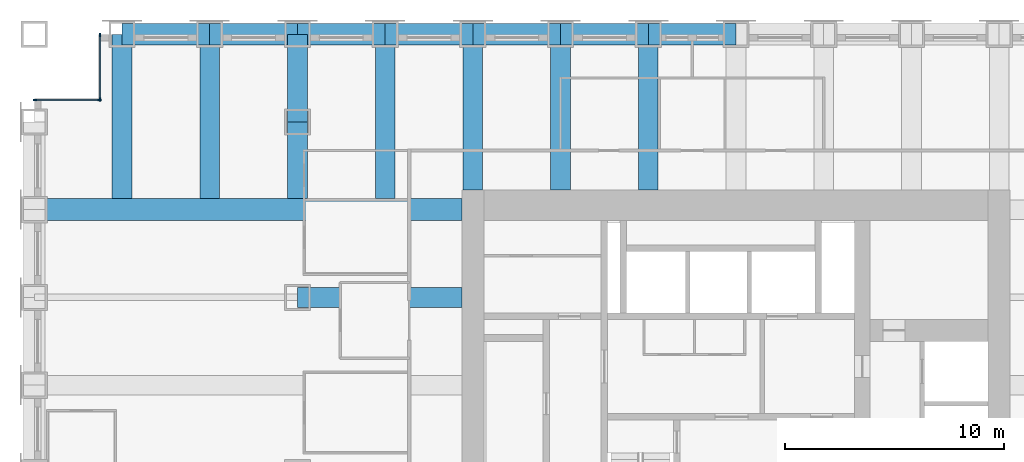
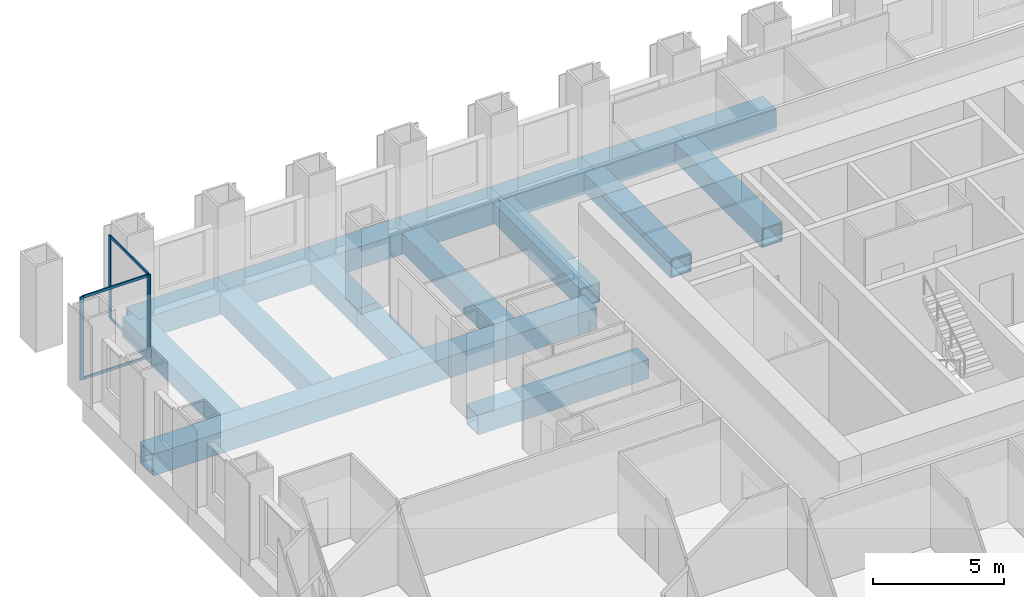
# One storey, part 6 of 15: 17 beams, 8 members, 2 elements without a shape of their own.
"""IFC4 building model written with IfcOpenShell, lengths in metres."""

import ifcopenshell
import ifcopenshell.guid

model = None  # the IFC model being written
_history = None  # IfcOwnerHistory: only IFC2X3 demands one
_inside = {}  # id of a spatial element -> (the spatial element, [elements in it])
_under = {}  # id of a project, library or spatial element -> (it, [spatial elements below it])
_declared = {}  # id of a project -> (the project, [libraries it declares])
_typed = {}  # id of a type object -> (the type object, [elements of that type])
_made_of = {}  # id of a material, layer set ... -> (it, [elements and type objects made of it])


def new_model(schema):
    """Start an empty IFC model of exactly this schema.

    Asked for "IFC4X3", IfcOpenShell would pick the latest addendum, in which some entities
    have other attributes; the version numbers below select the first issue.
    IFC2X3 requires an IfcOwnerHistory on every rooted entity: one is made here for all.
    """
    global model, _history
    if schema == "IFC4X3":
        model = ifcopenshell.file(schema_version=(4, 3, 0, 0))
    else:
        model = ifcopenshell.file(schema=schema)
    _inside.clear()
    _under.clear()
    _declared.clear()
    _typed.clear()
    _made_of.clear()
    _history = None
    if model.schema == "IFC2X3":
        org = make("IfcOrganization", Name="unknown")
        user = make(
            "IfcPersonAndOrganization",
            ThePerson=make("IfcPerson", FamilyName="unknown"),
            TheOrganization=org,
        )
        app = make(
            "IfcApplication",
            ApplicationDeveloper=org,
            Version="unknown",
            ApplicationFullName="unknown",
            ApplicationIdentifier="unknown",
        )
        _history = make(
            "IfcOwnerHistory",
            OwningUser=user,
            OwningApplication=app,
            ChangeAction="ADDED",
            CreationDate=0,
        )
    return model


def make(cls, **values):
    """One entity of the class cls with the attributes given. An attribute that is None is left unset."""
    return model.create_entity(
        cls, **{name: value for name, value in values.items() if value is not None}
    )


def rooted(cls, **values):
    """An entity with a GlobalId (a new one), such as an element, a storey or a relation."""
    return make(cls, GlobalId=ifcopenshell.guid.new(), OwnerHistory=_history, **values)


def si_unit(unit_type, name, prefix=None):
    """IfcSIUnit, for example si_unit("LENGTHUNIT", "METRE", prefix="MILLI")."""
    return make("IfcSIUnit", UnitType=unit_type, Prefix=prefix, Name=name)


def assignment(units):
    """IfcUnitAssignment: the units of a project."""
    return None if units is None else make("IfcUnitAssignment", Units=units)


def point(xyz):
    """IfcCartesianPoint."""
    return None if xyz is None else make("IfcCartesianPoint", Coordinates=xyz)


def direction(xyz):
    """IfcDirection."""
    return None if xyz is None else make("IfcDirection", DirectionRatios=xyz)


def frame(location, z_axis=None, x_axis=None):
    """IfcAxis2Placement3D, a coordinate frame: its origin and axes. An axis left out is left unset."""
    return make(
        "IfcAxis2Placement3D",
        Location=point(location),
        Axis=direction(z_axis),
        RefDirection=direction(x_axis),
    )


def frame_2d(location, x_axis=None):
    """IfcAxis2Placement2D, a coordinate frame in the plane: its origin and x axis."""
    return make(
        "IfcAxis2Placement2D", Location=point(location), RefDirection=direction(x_axis)
    )


def origin():
    """The frame at (0, 0, 0) with its axes left unset."""
    return frame((0.0, 0.0, 0.0))


def origin_2d():
    """The frame at (0, 0) in the plane with its x axis left unset."""
    return frame_2d((0.0, 0.0))


def place(relative_to, where):
    """IfcLocalPlacement: puts the frame where relative to a parent placement (None: the world)."""
    return make(
        "IfcLocalPlacement", PlacementRelTo=relative_to, RelativePlacement=where
    )


def context(
    kind, dimensions, precision=None, world=None, true_north=None, identifier=None
):
    """IfcGeometricRepresentationContext, for example the 3D "Model" context."""
    return make(
        "IfcGeometricRepresentationContext",
        ContextIdentifier=identifier,
        ContextType=kind,
        CoordinateSpaceDimension=dimensions,
        Precision=precision,
        WorldCoordinateSystem=world,
        TrueNorth=true_north,
    )


def subcontext(parent, identifier, kind, view, scale=None):
    """IfcGeometricRepresentationSubContext, for example "Body" below "Model"."""
    return make(
        "IfcGeometricRepresentationSubContext",
        ContextIdentifier=identifier,
        ContextType=kind,
        ParentContext=parent,
        TargetScale=scale,
        TargetView=view,
    )


def project(units=None, contexts=None):
    """IfcProject with its units and contexts."""
    return rooted(
        "IfcProject",
        Name="project",
        RepresentationContexts=contexts,
        UnitsInContext=assignment(units),
    )


def spatial(cls, under=None, at=None, **own):
    """A site, building, storey or space (cls), placed at a placement, below another one or the project."""
    s = rooted(cls, ObjectPlacement=at, **own)
    if under is not None:
        _under.setdefault(under.id(), (under, []))[1].append(s)
    return s


def profile(cls, at=None, kind="AREA", **sizes):
    """A parametric profile (cls). Its sizes go by their IFC names, for example OverallWidth=200.0."""
    return make(cls, ProfileType=kind, Position=at, **sizes)


def rectangle(**sizes):
    """IfcRectangleProfileDef."""
    return profile("IfcRectangleProfileDef", **sizes)


def hollow_rectangle(**sizes):
    """IfcRectangleHollowProfileDef."""
    return profile("IfcRectangleHollowProfileDef", **sizes)


def extrude(swept, where, along, depth):
    """IfcExtrudedAreaSolid: the profile swept, set in the frame where, extruded along a direction by depth."""
    return make(
        "IfcExtrudedAreaSolid",
        SweptArea=swept,
        Position=where,
        ExtrudedDirection=direction(along),
        Depth=depth,
    )


def shape(context_of_items, identifier, shape_type, items):
    """IfcShapeRepresentation: the items that make up one representation, for example the "Body"."""
    return make(
        "IfcShapeRepresentation",
        ContextOfItems=context_of_items,
        RepresentationIdentifier=identifier,
        RepresentationType=shape_type,
        Items=items,
    )


def material(Name=None, Category=None):
    """IfcMaterial."""
    return make("IfcMaterial", Name=Name, Category=Category)


def material_profile(
    of_material, cross_section, Name=None, Category=None, Priority=None
):
    """IfcMaterialProfile: a cross section and its material."""
    return make(
        "IfcMaterialProfile",
        Name=Name,
        Material=of_material,
        Profile=cross_section,
        Priority=Priority,
        Category=Category,
    )


def profile_set(profiles, Name=None, composite=None):
    """IfcMaterialProfileSet."""
    return make(
        "IfcMaterialProfileSet",
        Name=Name,
        MaterialProfiles=profiles,
        CompositeProfile=composite,
    )


def made_of(thing, what):
    """Note that an element or type object is made of a material, layer set ...; save() writes the relation."""
    if what is not None:
        _made_of.setdefault(what.id(), (what, []))[1].append(thing)
    return thing


def type_object(cls, material=None, **own):
    """A type object (cls), such as IfcWallType, which elements share."""
    return made_of(rooted(cls, **own), material)


def element(
    cls,
    number,
    at=None,
    inside=None,
    cuts=None,
    type_object=None,
    material=None,
    context=None,
    identifier="Body",
    shape_type=None,
    held_by="IfcProductDefinitionShape",
    body=None,
    shapes=None,
    **own,
):
    """One element of the class cls, such as IfcWall. Its Tag is "e" and its number.

    at: its placement. inside: the storey or other place that contains it. cuts: it is an
    opening in that element (IfcRelVoidsElement). A single representation is given by context,
    identifier, shape_type and body (its items); several are given by shapes. held_by: the class
    of the entity that holds the representations. save() writes the other relations.
    """
    e = rooted(cls, Tag="e%d" % number, ObjectPlacement=at, **own)
    if body is not None:
        shapes = [shape(context, identifier, shape_type, body)]
    if shapes is not None:
        e.Representation = make(held_by, Representations=shapes)
    if inside is not None:
        _inside.setdefault(inside.id(), (inside, []))[1].append(e)
    if cuts is not None:
        rooted(
            "IfcRelVoidsElement", RelatingBuildingElement=cuts, RelatedOpeningElement=e
        )
    if type_object is not None:
        _typed.setdefault(type_object.id(), (type_object, []))[1].append(e)
    return made_of(e, material)


def aggregate(whole, parts):
    """IfcRelAggregates: a whole, such as a stair, and the parts it consists of."""
    return rooted("IfcRelAggregates", RelatingObject=whole, RelatedObjects=parts)


def save(model, path):
    """Write the relations noted so far, then the file.

    IfcRelAggregates (storeys below a building ...), IfcRelContainedInSpatialStructure (elements
    in a storey), IfcRelDefinesByType, IfcRelAssociatesMaterial and IfcRelDeclares: one each for
    every whole, place, type object, material and project.
    """
    for whole, parts in _under.values():
        aggregate(whole, parts)
    for where, things in _inside.values():
        rooted(
            "IfcRelContainedInSpatialStructure",
            RelatedElements=things,
            RelatingStructure=where,
        )
    for kind, things in _typed.values():
        rooted("IfcRelDefinesByType", RelatedObjects=things, RelatingType=kind)
    for what, things in _made_of.values():
        rooted("IfcRelAssociatesMaterial", RelatedObjects=things, RelatingMaterial=what)
    for by, libraries in _declared.values():
        rooted("IfcRelDeclares", RelatingContext=by, RelatedDefinitions=libraries)
    model.write(path)


model = new_model("IFC4")

# Units and contexts
model_context = context("Model", 3, precision=1e-05, world=origin(), true_north=direction((0.0, 1.0)))
body_context = subcontext(model_context, "Body", "Model", "MODEL_VIEW")
ifc_project = project(units=[si_unit("LENGTHUNIT", "METRE"), si_unit("AREAUNIT", "SQUARE_METRE"), si_unit("VOLUMEUNIT", "CUBIC_METRE"), si_unit("PLANEANGLEUNIT", "RADIAN"), si_unit("MASSUNIT", "GRAM", prefix="KILO")], contexts=[model_context])

# Site, building, storey
site_placement = place(None, origin())
site = spatial("IfcSite", under=ifc_project, at=site_placement, CompositionType="ELEMENT")
building_placement = place(site_placement, origin())
building = spatial("IfcBuilding", under=site, at=building_placement, Name="Rimbunsela Tower", CompositionType="ELEMENT")
storey_placement = place(building_placement, frame((0.0, 0.0, 31.0)))
storey = spatial("IfcBuildingStorey", under=building, at=storey_placement, Name="L07", CompositionType="ELEMENT", Elevation=31.0)

# Beams
ifc_material_1 = material(Name="Steel BJ 55 (fy 410 MPa)", Category="steel")
ifc_material_profile_1 = material_profile(ifc_material_1, hollow_rectangle(XDim=1.0, YDim=1.0, WallThickness=0.10009765625, at=origin_2d()), Name="BOX 1000x1000x100")
ifc_profile_set_1 = profile_set([ifc_material_profile_1], Name="Steel BJ 55 (fy 410 MPa)")
beam_type_1 = type_object("IfcBeamType", Name="Beam BOX 1000x1000x100", PredefinedType="BEAM", material=ifc_profile_set_1)
beam_1_placement = place(storey_placement, frame((-2.0, 36.0, -0.64990234375), z_axis=(1.0, 0.0, 0.0), x_axis=(0.0, 1.0, 0.0)))
element("IfcBeam", 1, at=beam_1_placement, inside=storey, type_object=beam_type_1, Name="Beam B3 L07", PredefinedType="BEAM", context=body_context, shape_type="SweptSolid", body=[
    extrude(hollow_rectangle(XDim=1.0, YDim=1.0, WallThickness=0.10009765625, at=origin_2d()), origin(), (0.0, 0.0, 1.0), 19.5),
])
for number, where, z_axis, x_axis, name in (
    (2, (2.0, 44.0, -0.64990234375), (1.0, 0.0, 0.0), (0.0, 1.0, 0.0), "Beam B3 L07"),
    (3, (6.0, 44.0, -0.64990234375), (1.0, 0.0, 0.0), (0.0, 1.0, 0.0), "Beam B3 L07"),
    (4, (10.0, 44.0, -0.64990234375), (1.0, 0.0, 0.0), (0.0, 1.0, 0.0), "Beam B3 L07"),
    (5, (14.0, 44.0, -0.64990234375), (1.0, 0.0, 0.0), (0.0, 1.0, 0.0), "Beam B3 L07"),
    (6, (18.0, 44.0, -0.64990234375), (1.0, 0.0, 0.0), (0.0, 1.0, 0.0), "Beam B3 L07"),
    (7, (22.0, 44.0, -0.64990234375), (1.0, 0.0, 0.0), (0.0, 1.0, 0.0), "Beam B3 L07"),
    (8, (26.0, 44.0, -0.64990234375), (1.0, 0.0, 0.0), (0.0, 1.0, 0.0), "Beam B3 L07"),
):
    element("IfcBeam", number, at=place(storey_placement, frame(where, z_axis=z_axis, x_axis=x_axis)), inside=storey, type_object=beam_type_1, Name=name, PredefinedType="BEAM", context=body_context, shape_type="SweptSolid", body=[
        extrude(hollow_rectangle(XDim=1.0, YDim=1.0, WallThickness=0.10009765625, at=origin_2d()), origin(), (0.0, 0.0, 1.0), 4.0),
    ])
ifc_material_2 = material(Name="Steel BJ 55 (fy 410 MPa)", Category="steel")
ifc_material_profile_2 = material_profile(ifc_material_2, hollow_rectangle(XDim=0.89990234375, YDim=0.89990234375, WallThickness=0.06005859375, at=origin_2d()), Name="BOX 900x900x60")
ifc_profile_set_2 = profile_set([ifc_material_profile_2], Name="Steel BJ 55 (fy 410 MPa)")
beam_type_2 = type_object("IfcBeamType", Name="Beam BOX 900x900x60", PredefinedType="BEAM", material=ifc_profile_set_2)
for number, where, z_axis, x_axis, name in (
    (9, (2.0, 36.5, -0.60009765625), (0.0, 1.0, 0.0), (-1.0, 0.0, 0.0), "Beam B1 L07"),
    (10, (6.0, 36.5, -0.60009765625), (0.0, 1.0, 0.0), (-1.0, 0.0, 0.0), "Beam B1 L07"),
    (11, (10.0, 32.0, -0.60009765625), (1.0, 0.0, 0.0), (0.0, 1.0, 0.0), "Beam B1 L07"),
):
    element("IfcBeam", number, at=place(storey_placement, frame(where, z_axis=z_axis, x_axis=x_axis)), inside=storey, type_object=beam_type_2, Name=name, PredefinedType="BEAM", context=body_context, shape_type="SweptSolid", body=[
        extrude(hollow_rectangle(XDim=0.89990234375, YDim=0.89990234375, WallThickness=0.06005859375, at=origin_2d()), origin(), (0.0, 0.0, 1.0), 7.5),
    ])
beam_2_placement = place(storey_placement, frame((10.0, 36.5, -0.60009765625), z_axis=(0.0, 1.0, 0.0), x_axis=(-1.0, 0.0, 0.0)))
element("IfcBeam", 12, at=beam_2_placement, inside=storey, type_object=beam_type_2, Name="Beam B1 L07", PredefinedType="BEAM", context=body_context, shape_type="SweptSolid", body=[
    extrude(hollow_rectangle(XDim=0.89990234375, YDim=0.89990234375, WallThickness=0.06005859375, at=origin_2d()), origin(), (0.0, 0.0, 1.0), 3.5),
])
beam_3_placement = place(storey_placement, frame((10.0, 40.0, -0.60009765625), z_axis=(0.0, 1.0, 0.0), x_axis=(-1.0, 0.0, 0.0)))
element("IfcBeam", 13, at=beam_3_placement, inside=storey, type_object=beam_type_2, Name="Beam B1 L07", PredefinedType="BEAM", context=body_context, shape_type="SweptSolid", body=[
    extrude(hollow_rectangle(XDim=0.89990234375, YDim=0.89990234375, WallThickness=0.06005859375, at=origin_2d()), origin(), (0.0, 0.0, 1.0), 4.0),
])
beam_4_placement = place(storey_placement, frame((14.0, 36.5, -0.60009765625), z_axis=(0.0, 1.0, 0.0), x_axis=(-1.0, 0.0, 0.0)))
element("IfcBeam", 14, at=beam_4_placement, inside=storey, type_object=beam_type_2, Name="Beam B1 L07", PredefinedType="BEAM", context=body_context, shape_type="SweptSolid", body=[
    extrude(hollow_rectangle(XDim=0.89990234375, YDim=0.89990234375, WallThickness=0.06005859375, at=origin_2d()), origin(), (0.0, 0.0, 1.0), 7.5),
])
for number, where, z_axis, x_axis, name in (
    (15, (18.0, 36.89990234375, -0.60009765625), (0.0, 1.0, 0.0), (-1.0, 0.0, 0.0), "Beam B1 L07"),
    (16, (22.0, 36.89990234375, -0.60009765625), (0.0, 1.0, 0.0), (-1.0, 0.0, 0.0), "Beam B1 L07"),
    (17, (26.0, 36.89990234375, -0.60009765625), (0.0, 1.0, 0.0), (-1.0, 0.0, 0.0), "Beam B1 L07"),
):
    element("IfcBeam", number, at=place(storey_placement, frame(where, z_axis=z_axis, x_axis=x_axis)), inside=storey, type_object=beam_type_2, Name=name, PredefinedType="BEAM", context=body_context, shape_type="SweptSolid", body=[
        extrude(hollow_rectangle(XDim=0.89990234375, YDim=0.89990234375, WallThickness=0.06005859375, at=origin_2d()), origin(), (0.0, 0.0, 1.0), 7.10009765625),
    ])

# Curtain wall, members
ifc_material_3 = material(Name="Aluminium curtain wall", Category="aluminium")
curtain_wall_type = type_object("IfcCurtainWallType", Name="Corner glazing", PredefinedType="USERDEFINED", material=ifc_material_3)
curtain_wall_1_placement = place(storey_placement, origin())
curtain_wall_1 = element("IfcCurtainWall", 18, at=curtain_wall_1_placement, inside=storey, type_object=curtain_wall_type, Name="Corner glazing L07", ObjectType="CORNER GLAZING", PredefinedType="USERDEFINED")
ifc_material_4 = material(Name="Aluminium mullion", Category="aluminium")
ifc_material_profile_3 = material_profile(ifc_material_4, rectangle(XDim=0.06005859375, YDim=0.159912109375, at=origin_2d()), Name="Mullion 60x160")
ifc_profile_set_3 = profile_set([ifc_material_profile_3], Name="Aluminium mullion")
member_type_1 = type_object("IfcMemberType", Name="Curtain wall mullion 60x160", PredefinedType="MULLION", material=ifc_profile_set_3)
member_1_placement = place(storey_placement, frame((1.0, 43.969970703125, 0.0), z_axis=(0.0, 0.0, 1.0), x_axis=(1.0, 0.0, 0.0)))
member_1 = element("IfcMember", 19, at=member_1_placement, type_object=member_type_1, Name="CW5 mullion 1", PredefinedType="MULLION", context=body_context, shape_type="SweptSolid", body=[
    extrude(rectangle(XDim=0.06005859375, YDim=0.159912109375, at=origin_2d()), origin(), (0.0, 0.0, 1.0), 3.85009765625),
])
member_2_placement = place(storey_placement, frame((1.0, 41.030029296875, 0.0), z_axis=(0.0, 0.0, 1.0), x_axis=(1.0, 0.0, 0.0)))
member_2 = element("IfcMember", 20, at=member_2_placement, type_object=member_type_1, Name="CW5 mullion 2", PredefinedType="MULLION", context=body_context, shape_type="SweptSolid", body=[
    extrude(rectangle(XDim=0.06005859375, YDim=0.159912109375, at=origin_2d()), origin(), (0.0, 0.0, 1.0), 3.85009765625),
])

curtain_wall_2_placement = place(storey_placement, origin())
curtain_wall_2 = element("IfcCurtainWall", 21, at=curtain_wall_2_placement, inside=storey, type_object=curtain_wall_type, Name="Corner glazing L07", ObjectType="CORNER GLAZING", PredefinedType="USERDEFINED")
member_3_placement = place(storey_placement, frame((0.969970703125, 41.0, 0.0), z_axis=(0.0, 0.0, 1.0), x_axis=(0.0, -1.0, 0.0)))
member_3 = element("IfcMember", 22, at=member_3_placement, type_object=member_type_1, Name="CW5 mullion 1", PredefinedType="MULLION", context=body_context, shape_type="SweptSolid", body=[
    extrude(rectangle(XDim=0.06005859375, YDim=0.159912109375, at=origin_2d()), origin(), (0.0, 0.0, 1.0), 3.85009765625),
])
member_4_placement = place(storey_placement, frame((-1.969970703125, 41.0, 0.0), z_axis=(0.0, 0.0, 1.0), x_axis=(0.0, -1.0, 0.0)))
member_4 = element("IfcMember", 23, at=member_4_placement, type_object=member_type_1, Name="CW5 mullion 2", PredefinedType="MULLION", context=body_context, shape_type="SweptSolid", body=[
    extrude(rectangle(XDim=0.06005859375, YDim=0.159912109375, at=origin_2d()), origin(), (0.0, 0.0, 1.0), 3.85009765625),
])

# Member
ifc_material_5 = material(Name="Aluminium transom", Category="aluminium")
ifc_material_profile_4 = material_profile(ifc_material_5, rectangle(XDim=0.06005859375, YDim=0.1201171875, at=origin_2d()), Name="Transom 60x120")
ifc_profile_set_4 = profile_set([ifc_material_profile_4], Name="Aluminium transom")
member_type_2 = type_object("IfcMemberType", Name="Curtain wall transom 60x120", PredefinedType="USERDEFINED", material=ifc_profile_set_4)
member_5_placement = place(storey_placement, frame((1.0, 43.93994140625, 0.030029296875), z_axis=(0.0, -1.0, 0.0), x_axis=(1.0, 0.0, 0.0)))
member_5 = element("IfcMember", 24, at=member_5_placement, type_object=member_type_2, Name="CW5 transom 1.1", ObjectType="TRANSOM", PredefinedType="USERDEFINED", context=body_context, shape_type="SweptSolid", body=[
    extrude(rectangle(XDim=0.06005859375, YDim=0.1201171875, at=origin_2d()), origin(), (0.0, 0.0, 1.0), 2.8798828125),
])

member_6_placement = place(storey_placement, frame((1.0, 43.93994140625, 3.820068359375), z_axis=(0.0, -1.0, 0.0), x_axis=(1.0, 0.0, 0.0)))
member_6 = element("IfcMember", 25, at=member_6_placement, type_object=member_type_2, Name="CW5 transom 1.2", ObjectType="TRANSOM", PredefinedType="USERDEFINED", context=body_context, shape_type="SweptSolid", body=[
    extrude(rectangle(XDim=0.06005859375, YDim=0.1201171875, at=origin_2d()), origin(), (0.0, 0.0, 1.0), 2.8798828125),
])

aggregate(curtain_wall_1, [member_1, member_2, member_5, member_6])

member_7_placement = place(storey_placement, frame((0.93994140625, 41.0, 0.030029296875), z_axis=(-1.0, 0.0, 0.0), x_axis=(0.0, -1.0, 0.0)))
member_7 = element("IfcMember", 26, at=member_7_placement, type_object=member_type_2, Name="CW5 transom 1.1", ObjectType="TRANSOM", PredefinedType="USERDEFINED", context=body_context, shape_type="SweptSolid", body=[
    extrude(rectangle(XDim=0.06005859375, YDim=0.1201171875, at=origin_2d()), origin(), (0.0, 0.0, 1.0), 2.8798828125),
])

member_8_placement = place(storey_placement, frame((0.93994140625, 41.0, 3.820068359375), z_axis=(-1.0, 0.0, 0.0), x_axis=(0.0, -1.0, 0.0)))
member_8 = element("IfcMember", 27, at=member_8_placement, type_object=member_type_2, Name="CW5 transom 1.2", ObjectType="TRANSOM", PredefinedType="USERDEFINED", context=body_context, shape_type="SweptSolid", body=[
    extrude(rectangle(XDim=0.06005859375, YDim=0.1201171875, at=origin_2d()), origin(), (0.0, 0.0, 1.0), 2.8798828125),
])

aggregate(curtain_wall_2, [member_3, member_4, member_7, member_8])

save(model, "model.ifc")
